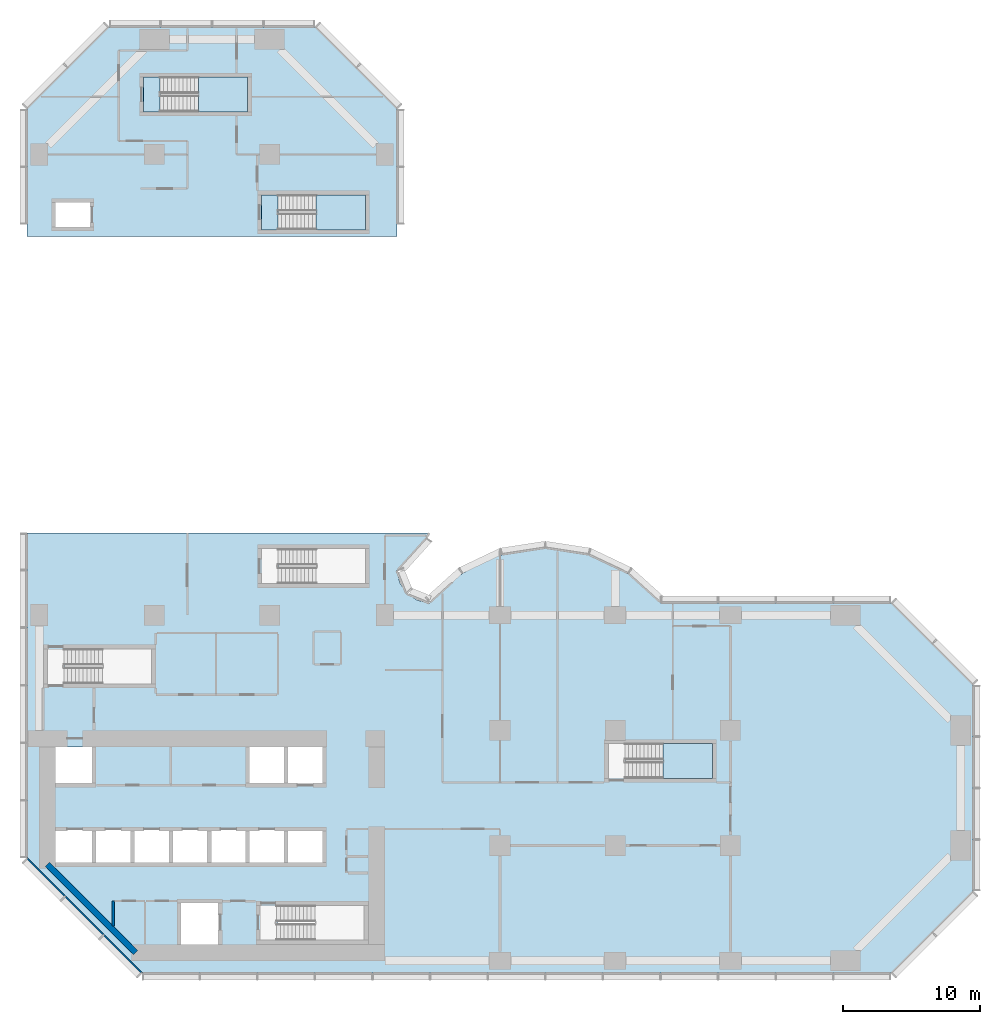
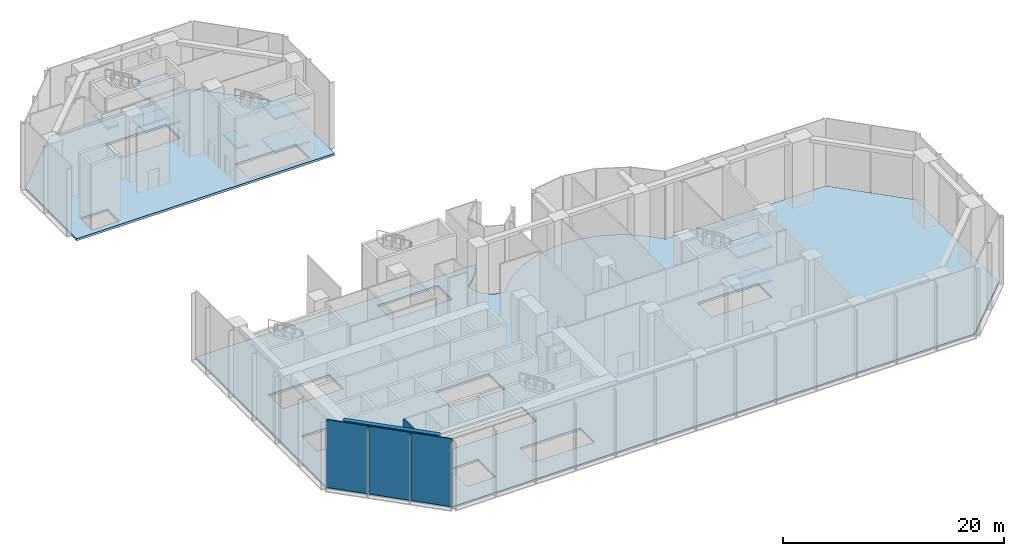
# One storey, part 6 of 16: 10 slabs, 5 walls, 3 elements without a shape of their own.
"""IFC4 building model written with IfcOpenShell, lengths in metres."""

from ifc_helpers import new_model, si_unit, direction, frame, frame_2d, origin, place, context, subcontext, project, spatial, polyline, rectangle, outline, extrude, material, layer, layer_set, type_object, element, aggregate, save


model = new_model("IFC4")

# Units and contexts
model_context = context("Model", 3, precision=1e-05, world=origin(), true_north=direction((0.0, 1.0)))
body_context = subcontext(model_context, "Body", "Model", "MODEL_VIEW")
ifc_project = project(units=[si_unit("LENGTHUNIT", "METRE"), si_unit("AREAUNIT", "SQUARE_METRE"), si_unit("VOLUMEUNIT", "CUBIC_METRE"), si_unit("PLANEANGLEUNIT", "RADIAN"), si_unit("MASSUNIT", "GRAM", prefix="KILO")], contexts=[model_context])

# Site, building, storey
site_placement = place(None, origin())
site = spatial("IfcSite", under=ifc_project, at=site_placement, CompositionType="ELEMENT")
building_placement = place(site_placement, origin())
building = spatial("IfcBuilding", under=site, at=building_placement, Name="Brevane Broadcast Tower", CompositionType="ELEMENT")
storey_placement = place(building_placement, frame((0.0, 0.0, 12.5)))
storey = spatial("IfcBuildingStorey", under=building, at=storey_placement, Name="L02", CompositionType="ELEMENT", Elevation=12.5)

# Stair, slabs
ifc_material_1 = material(Name="Concrete C50/60", Category="concrete")
stair_type = type_object("IfcStairType", Name="Exit stair 44 risers", PredefinedType="HALF_TURN_STAIR", material=ifc_material_1)
stair_1_placement = place(storey_placement, origin())
stair_1 = element("IfcStair", 1, at=stair_1_placement, inside=storey, type_object=stair_type, Name="L02 Exit stair ST-4", PredefinedType="HALF_TURN_STAIR")
ifc_layer_1 = layer(ifc_material_1, 0.199951171875)
ifc_layer_set_1 = layer_set([ifc_layer_1], Name="Exit stair landing")
slab_type_1 = type_object("IfcSlabType", Name="Exit stair landing", PredefinedType="LANDING", material=ifc_layer_set_1)
slab_1_placement = place(storey_placement, frame((0.0, 0.0, 1.675048828125)))
slab_1 = element("IfcSlab", 2, at=slab_1_placement, type_object=slab_type_1, Name="ST-4 landing 1", PredefinedType="LANDING", context=body_context, shape_type="SweptSolid", body=[
    extrude(outline(polyline([(45.5, 13.300048828125), (49.10009765625, 13.300048828125), (49.10009765625, 15.85009765625), (45.5, 15.85009765625), (45.5, 13.300048828125)])), origin(), (0.0, 0.0, 1.0), 0.199951171875),
])
slab_2_placement = place(storey_placement, frame((0.0, 0.0, 5.425048828125)))
slab_2 = element("IfcSlab", 3, at=slab_2_placement, type_object=slab_type_1, Name="ST-4 landing 3", PredefinedType="LANDING", context=body_context, shape_type="SweptSolid", body=[
    extrude(outline(polyline([(45.5, 13.300048828125), (49.10009765625, 13.300048828125), (49.10009765625, 15.85009765625), (45.5, 15.85009765625), (45.5, 13.300048828125)])), origin(), (0.0, 0.0, 1.0), 0.199951171875),
])
aggregate(stair_1, [slab_1, slab_2])

stair_2_placement = place(storey_placement, origin())
stair_2 = element("IfcStair", 4, at=stair_2_placement, inside=storey, type_object=stair_type, Name="L02 Exit stair ST-5", PredefinedType="HALF_TURN_STAIR")
slab_3_placement = place(storey_placement, frame((0.0, 0.0, 1.675048828125)))
slab_3 = element("IfcSlab", 5, at=slab_3_placement, type_object=slab_type_1, Name="ST-5 landing 1", PredefinedType="LANDING", context=body_context, shape_type="SweptSolid", body=[
    extrude(outline(polyline([(20.199951171875, 53.300048828125), (23.800048828125, 53.300048828125), (23.800048828125, 55.85009765625), (20.199951171875, 55.85009765625), (20.199951171875, 53.300048828125)])), origin(), (0.0, 0.0, 1.0), 0.199951171875),
])
slab_4_placement = place(storey_placement, frame((0.0, 0.0, 3.550048828125)))
slab_4 = element("IfcSlab", 6, at=slab_4_placement, type_object=slab_type_1, Name="ST-5 landing 2", PredefinedType="LANDING", context=body_context, shape_type="SweptSolid", body=[
    extrude(outline(polyline([(16.199951171875, 53.300048828125), (17.39990234375, 53.300048828125), (17.39990234375, 55.85009765625), (16.199951171875, 55.85009765625), (16.199951171875, 53.300048828125)])), origin(), (0.0, 0.0, 1.0), 0.199951171875),
])
slab_5_placement = place(storey_placement, frame((0.0, 0.0, 5.425048828125)))
slab_5 = element("IfcSlab", 7, at=slab_5_placement, type_object=slab_type_1, Name="ST-5 landing 3", PredefinedType="LANDING", context=body_context, shape_type="SweptSolid", body=[
    extrude(outline(polyline([(20.199951171875, 53.300048828125), (23.800048828125, 53.300048828125), (23.800048828125, 55.85009765625), (20.199951171875, 55.85009765625), (20.199951171875, 53.300048828125)])), origin(), (0.0, 0.0, 1.0), 0.199951171875),
])
aggregate(stair_2, [slab_3, slab_4, slab_5])

stair_3_placement = place(storey_placement, origin())
stair_3 = element("IfcStair", 8, at=stair_3_placement, inside=storey, type_object=stair_type, Name="L02 Exit stair ST-6", PredefinedType="HALF_TURN_STAIR")
slab_6_placement = place(storey_placement, frame((0.0, 0.0, 1.675048828125)))
slab_6 = element("IfcSlab", 9, at=slab_6_placement, type_object=slab_type_1, Name="ST-6 landing 1", PredefinedType="LANDING", context=body_context, shape_type="SweptSolid", body=[
    extrude(outline(polyline([(11.60009765625, 61.89990234375), (15.199951171875, 61.89990234375), (15.199951171875, 64.449951171875), (11.60009765625, 64.449951171875), (11.60009765625, 61.89990234375)])), origin(), (0.0, 0.0, 1.0), 0.199951171875),
])
slab_7_placement = place(storey_placement, frame((0.0, 0.0, 3.550048828125)))
slab_7 = element("IfcSlab", 10, at=slab_7_placement, type_object=slab_type_1, Name="ST-6 landing 2", PredefinedType="LANDING", context=body_context, shape_type="SweptSolid", body=[
    extrude(outline(polyline([(7.60009765625, 61.89990234375), (8.800048828125, 61.89990234375), (8.800048828125, 64.449951171875), (7.60009765625, 64.449951171875), (7.60009765625, 61.89990234375)])), origin(), (0.0, 0.0, 1.0), 0.199951171875),
])
slab_8_placement = place(storey_placement, frame((0.0, 0.0, 5.425048828125)))
slab_8 = element("IfcSlab", 11, at=slab_8_placement, type_object=slab_type_1, Name="ST-6 landing 3", PredefinedType="LANDING", context=body_context, shape_type="SweptSolid", body=[
    extrude(outline(polyline([(11.60009765625, 61.89990234375), (15.199951171875, 61.89990234375), (15.199951171875, 64.449951171875), (11.60009765625, 64.449951171875), (11.60009765625, 61.89990234375)])), origin(), (0.0, 0.0, 1.0), 0.199951171875),
])
aggregate(stair_3, [slab_6, slab_7, slab_8])

# Slabs
ifc_material_2 = material(Name="Concrete C40/50", Category="concrete")
ifc_layer_2 = layer(ifc_material_2, 0.25)
ifc_layer_set_2 = layer_set([ifc_layer_2], Name="RC FLOOR SLAB 250 C40/50")
slab_type_2 = type_object("IfcSlabType", Name="RC FLOOR SLAB 250 C40/50", PredefinedType="FLOOR", material=ifc_layer_set_2)
slab_9_placement = place(storey_placement, frame((0.0, 0.0, -0.25)))
element("IfcSlab", 12, at=slab_9_placement, inside=storey, type_object=slab_type_2, Name="SL250 L02", PredefinedType="FLOOR", context=body_context, shape_type="SweptSolid", body=[
    extrude(outline(polyline([(-0.89990234375, 31.199951171875), (28.45263671875, 31.199951171875), (27.99169921875, 30.48291015625), (27.10888671875, 29.431396484375), (26.10009765625, 28.5), (26.28271484375, 27.58154296875), (26.802978515625, 26.802978515625), (27.58154296875, 26.28271484375), (28.5, 26.10009765625), (29.431396484375, 27.10888671875), (30.48291015625, 27.99169921875), (31.6376953125, 28.734130859375), (32.877197265625, 29.324462890625), (34.181640625, 29.7529296875), (35.52978515625, 30.012939453125), (36.89990234375, 30.10009765625), (38.270263671875, 30.012939453125), (39.618408203125, 29.7529296875), (40.922607421875, 29.324462890625), (42.162353515625, 28.734130859375), (43.317138671875, 27.99169921875), (44.36865234375, 27.10888671875), (45.300048828125, 26.10009765625), (62.10009765625, 26.10009765625), (68.10009765625, 20.10009765625), (68.10009765625, 5.10009765625), (62.10009765625, -0.89990234375), (7.5, -0.89990234375), (-0.89990234375, 7.5), (-0.89990234375, 31.199951171875)]), holes=[polyline([(13.199951171875, 1.199951171875), (13.199951171875, 4.39990234375), (10.199951171875, 4.39990234375), (10.199951171875, 1.199951171875), (13.199951171875, 1.199951171875)]), polyline([(6.800048828125, 9.60009765625), (4.0, 9.60009765625), (1.199951171875, 9.60009765625), (1.199951171875, 7.0), (4.0, 7.0), (6.800048828125, 7.0), (9.60009765625, 7.0), (12.39990234375, 7.0), (15.199951171875, 7.0), (18.0, 7.0), (20.800048828125, 7.0), (20.800048828125, 9.60009765625), (18.0, 9.60009765625), (15.199951171875, 9.60009765625), (12.39990234375, 9.60009765625), (9.60009765625, 9.60009765625), (6.800048828125, 9.60009765625)]), polyline([(4.0, 12.800048828125), (4.0, 15.60009765625), (1.199951171875, 15.60009765625), (1.199951171875, 12.800048828125), (4.0, 12.800048828125)]), polyline([(8.199951171875, 22.75), (1.860107421875, 22.75), (1.860107421875, 20.199951171875), (8.199951171875, 20.199951171875), (8.199951171875, 22.75)]), polyline([(23.699951171875, 4.050048828125), (17.360107421875, 4.050048828125), (17.360107421875, 1.5), (23.699951171875, 1.5), (23.699951171875, 4.050048828125)]), polyline([(18.0, 15.60009765625), (15.199951171875, 15.60009765625), (15.199951171875, 12.800048828125), (18.0, 12.800048828125), (20.800048828125, 12.800048828125), (20.800048828125, 15.60009765625), (18.0, 15.60009765625)]), polyline([(49.10009765625, 15.85009765625), (42.760009765625, 15.85009765625), (42.760009765625, 13.300048828125), (49.10009765625, 13.300048828125), (49.10009765625, 15.85009765625)]), polyline([(23.800048828125, 27.5), (23.800048828125, 30.050048828125), (17.4599609375, 30.050048828125), (17.4599609375, 27.5), (23.800048828125, 27.5)])]), origin(), (0.0, 0.0, 1.0), 0.25),
])
slab_10_placement = place(storey_placement, frame((0.0, 0.0, -0.25)))
element("IfcSlab", 13, at=slab_10_placement, inside=storey, type_object=slab_type_2, Name="SL250 L02", PredefinedType="FLOOR", context=body_context, shape_type="SweptSolid", body=[
    extrude(outline(polyline([(5.10009765625, 68.10009765625), (20.10009765625, 68.10009765625), (26.10009765625, 62.10009765625), (26.10009765625, 52.800048828125), (-0.89990234375, 52.800048828125), (-0.89990234375, 62.10009765625), (5.10009765625, 68.10009765625)]), holes=[polyline([(1.050048828125, 53.35009765625), (3.85009765625, 53.35009765625), (3.85009765625, 55.449951171875), (1.050048828125, 55.449951171875), (1.050048828125, 53.35009765625)]), polyline([(15.199951171875, 61.89990234375), (15.199951171875, 64.449951171875), (8.860107421875, 64.449951171875), (8.860107421875, 61.89990234375), (15.199951171875, 61.89990234375)]), polyline([(23.800048828125, 53.300048828125), (23.800048828125, 55.85009765625), (17.4599609375, 55.85009765625), (17.4599609375, 53.300048828125), (23.800048828125, 53.300048828125)])]), origin(), (0.0, 0.0, 1.0), 0.25),
])

# Walls
ifc_material_3 = material(Name="Gypsum board on steel studs", Category="steel")
ifc_layer_3 = layer(ifc_material_3, 0.14990234375)
ifc_layer_set_3 = layer_set([ifc_layer_3], Name="Core fire partition 150 mm")
wall_type_1 = type_object("IfcWallType", Name="Core fire partition 150 mm", PredefinedType="PARTITIONING", material=ifc_layer_set_3)
wall_1_placement = place(storey_placement, frame((5.39990234375, 2.553466796875, 0.0), z_axis=(0.0, 0.0, 1.0), x_axis=(0.0, 1.0, 0.0)))
element("IfcWall", 14, at=wall_1_placement, inside=storey, type_object=wall_type_1, Name="L02 partition wall P10", PredefinedType="PARTITIONING", context=body_context, shape_type="SweptSolid", body=[
    extrude(rectangle(XDim=1.796630859375, YDim=0.14990234375, at=frame_2d((0.8984375, 0.0))), origin(), (0.0, 0.0, 1.0), 7.25),
])
ifc_material_4 = material(Name="Concrete C80/95", Category="concrete")
ifc_layer_4 = layer(ifc_material_4, 0.449951171875)
ifc_layer_set_4 = layer_set([ifc_layer_4], Name="Core wall 450 mm C80/95")
wall_type_2 = type_object("IfcWallType", Name="Core wall 450 mm C80/95", PredefinedType="SHEAR", material=ifc_layer_set_4)
wall_2_placement = place(storey_placement, frame((0.60009765625, 7.018310546875, 0.0), z_axis=(0.0, 0.0, 1.0), x_axis=(0.707106781187, -0.707106781187, 0.0)))
element("IfcWall", 15, at=wall_2_placement, inside=storey, type_object=wall_type_2, Name="L02 outer wall WC", PredefinedType="SHEAR", context=body_context, shape_type="SweptSolid", body=[
    extrude(rectangle(XDim=9.07666015625, YDim=0.449951171875, at=frame_2d((4.538330078125, 0.0))), origin(), (0.0, 0.0, 1.0), 7.25),
])
ifc_material_5 = material(Name="Precast concrete C40/50", Category="concrete")
ifc_layer_5 = layer(ifc_material_5, 0.1201171875)
ifc_layer_set_5 = layer_set([ifc_layer_5], Name="Podium precast cladding wall 120 C40/50")
wall_type_3 = type_object("IfcWallType", Name="Podium precast cladding wall 120 C40/50", PredefinedType="SOLIDWALL", material=ifc_layer_set_5)
wall_3_placement = place(storey_placement, origin())
element("IfcWall", 16, at=wall_3_placement, inside=storey, type_object=wall_type_3, Name="Podium precast cladding wall", PredefinedType="SOLIDWALL", context=body_context, shape_type="SweptSolid", body=[
    extrude(outline(polyline([(-0.832763671875, 7.50341796875), (-0.917724609375, 7.418701171875), (1.818603515625, 4.682373046875), (1.903564453125, 4.76708984375), (-0.832763671875, 7.50341796875)])), origin(), (0.0, 0.0, 1.0), 7.5),
])
wall_4_placement = place(storey_placement, origin())
element("IfcWall", 17, at=wall_4_placement, inside=storey, type_object=wall_type_3, Name="Podium precast cladding wall", PredefinedType="SOLIDWALL", context=body_context, shape_type="SweptSolid", body=[
    extrude(outline(polyline([(1.96728515625, 4.70361328125), (4.70361328125, 1.96728515625), (4.61865234375, 1.88232421875), (1.88232421875, 4.61865234375), (1.96728515625, 4.70361328125)])), origin(), (0.0, 0.0, 1.0), 7.5),
])
wall_5_placement = place(storey_placement, origin())
element("IfcWall", 18, at=wall_5_placement, inside=storey, type_object=wall_type_3, Name="Podium precast cladding wall", PredefinedType="SOLIDWALL", context=body_context, shape_type="SweptSolid", body=[
    extrude(outline(polyline([(4.76708984375, 1.903564453125), (7.50341796875, -0.832763671875), (7.418701171875, -0.917724609375), (4.682373046875, 1.818603515625), (4.76708984375, 1.903564453125)])), origin(), (0.0, 0.0, 1.0), 7.5),
])

save(model, "model.ifc")
